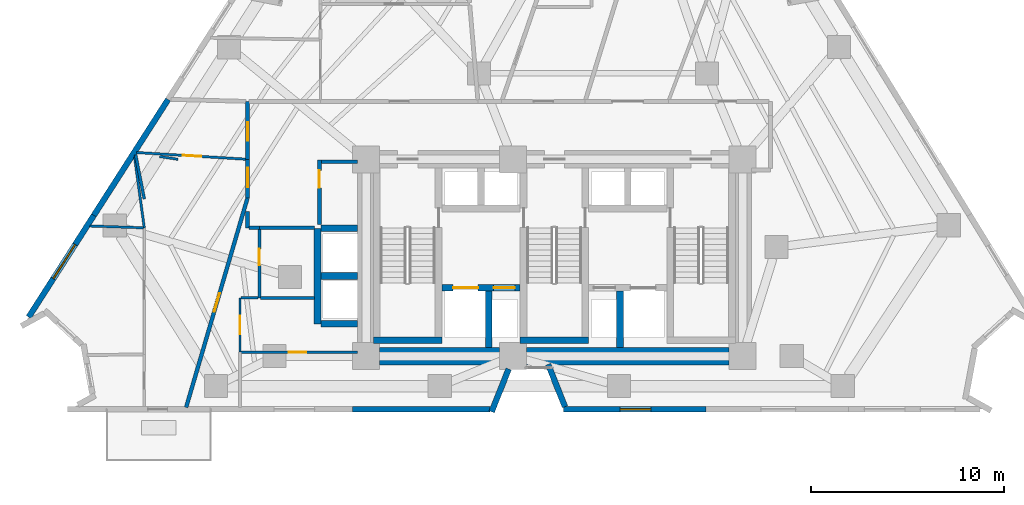
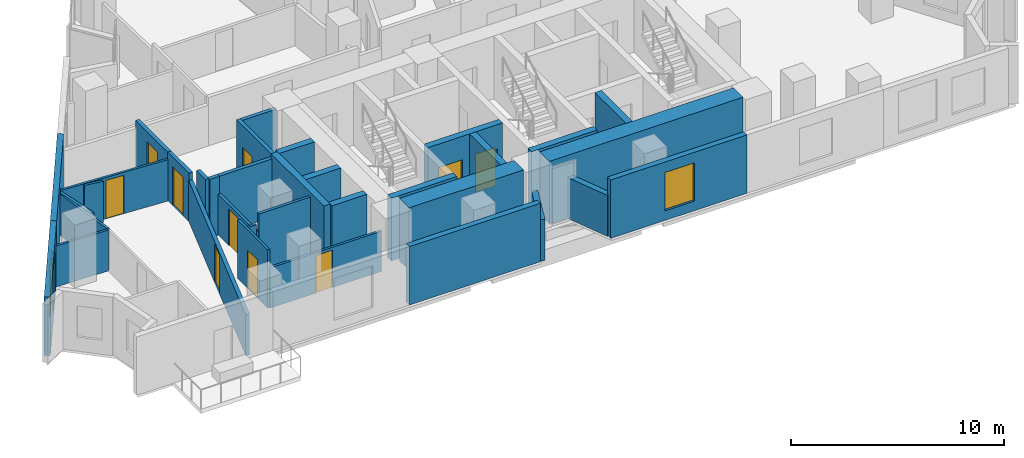
# One storey, part 6 of 13: 35 walls, 10 doors, 2 windows, 12 openings.
"""IFC4 building model written with IfcOpenShell, lengths in metres."""

from ifc_helpers import new_model, si_unit, direction, frame, frame_2d, origin, place, context, subcontext, project, spatial, rectangle, extrude, material, layer, layer_set, type_object, element, fill, save


model = new_model("IFC4")

# Units and contexts
model_context = context("Model", 3, precision=1e-05, world=origin(), true_north=direction((0.0, 1.0)))
body_context = subcontext(model_context, "Body", "Model", "MODEL_VIEW")
ifc_project = project(units=[si_unit("LENGTHUNIT", "METRE"), si_unit("AREAUNIT", "SQUARE_METRE"), si_unit("VOLUMEUNIT", "CUBIC_METRE"), si_unit("PLANEANGLEUNIT", "RADIAN"), si_unit("MASSUNIT", "GRAM", prefix="KILO")], contexts=[model_context])

# Site, building, storey
site_placement = place(None, origin())
site = spatial("IfcSite", under=ifc_project, at=site_placement, CompositionType="ELEMENT")
building_placement = place(site_placement, origin())
building = spatial("IfcBuilding", under=site, at=building_placement, Name="Almagre Mirador Tower", CompositionType="ELEMENT")
storey_placement = place(building_placement, frame((0.0, 0.0, 89.39990234375)))
storey = spatial("IfcBuildingStorey", under=building, at=storey_placement, Name="L22", CompositionType="ELEMENT", Elevation=89.39990234375)

# Wall, opening, window
ifc_material_1 = material(Name="Precast concrete C50/60", Category="concrete")
ifc_layer_1 = layer(ifc_material_1, 0.300048828125)
ifc_layer_set_1 = layer_set([ifc_layer_1], Name="Precast concrete C50/60")
wall_type_1 = type_object("IfcWallType", Name="WAL-EXT-300", PredefinedType="SOLIDWALL", material=ifc_layer_set_1)
wall_1_placement = place(storey_placement, frame((45.1533203125, 1.800048828125, 0.0), z_axis=(0.0, 0.0, 1.0), x_axis=(-1.0, 0.0, 0.0)))
wall_1 = element("IfcWall", 1, at=wall_1_placement, inside=storey, type_object=wall_type_1, Name="L22 expressed almagre precast frame wall 23", PredefinedType="SOLIDWALL", context=body_context, shape_type="SweptSolid", body=[
    extrude(rectangle(XDim=7.393310546875, YDim=0.300048828125, at=frame_2d((3.69677734375, 0.0))), origin(), (0.0, 0.0, 1.0), 3.35009765625),
])
opening_1_placement = place(wall_1_placement, frame((2.85009765625, 0.0, 0.550048828125)))
opening_1 = element("IfcOpeningElement", 2, at=opening_1_placement, cuts=wall_1, Name="Opening WN-06", PredefinedType="OPENING", context=body_context, shape_type="SweptSolid", body=[
    extrude(rectangle(XDim=1.60009765625, YDim=2.199951171875, at=frame_2d((0.800048828125, 1.10009765625))), frame((0.0, 0.159902, 0.0), z_axis=(0.0, -1.0, 0.0), x_axis=(1.0, 0.0, 0.0)), (0.0, 0.0, 1.0), 0.320049),
])
ifc_material_2 = material(Name="Dark solar-control laminated hurricane glass", Category="glass")
window_type_1 = type_object("IfcWindowType", Name="WIN-1600X2200", PartitioningType="DOUBLE_PANEL_VERTICAL", PredefinedType="WINDOW", material=ifc_material_2)
window_1_placement = place(opening_1_placement, origin())
window_1 = element("IfcWindow", 3, at=window_1_placement, inside=storey, type_object=window_type_1, Name="L22 recessed hurricane window L22-RST-B", OverallHeight=2.199951171875, OverallWidth=1.60009765625, PartitioningType="SINGLE_PANEL", PredefinedType="WINDOW", context=body_context, shape_type="SweptSolid", body=[
    extrude(rectangle(XDim=1.60009765625, YDim=2.199951171875, at=frame_2d((0.800048828125, 1.10009765625))), frame((0.0, 0.030029296875, 0.0), z_axis=(0.0, -1.0, 0.0), x_axis=(1.0, 0.0, 0.0)), (0.0, 0.0, 1.0), 0.06005859375),
])
fill(opening_1, window_1)

# Walls
wall_2_placement = place(storey_placement, frame((37.85009765625, 1.92529296875, 0.0), z_axis=(0.0, 0.0, 1.0), x_axis=(-0.36946923074, 0.92924296475, 0.0)))
element("IfcWall", 4, at=wall_2_placement, inside=storey, type_object=wall_type_1, Name="L22 expressed almagre precast frame wall 24", PredefinedType="SOLIDWALL", context=body_context, shape_type="SweptSolid", body=[
    extrude(rectangle(XDim=2.366943359375, YDim=0.300048828125, at=frame_2d((1.18359375, 0.0))), origin(), (0.0, 0.0, 1.0), 2.35009765625),
])
wall_3_placement = place(storey_placement, frame((34.930419921875, 3.887939453125, 0.0), z_axis=(0.0, 0.0, 1.0), x_axis=(-0.369538313764, -0.9292154942, 0.0)))
element("IfcWall", 5, at=wall_3_placement, inside=storey, type_object=wall_type_1, Name="L22 expressed almagre precast frame wall 25", PredefinedType="SOLIDWALL", context=body_context, shape_type="SweptSolid", body=[
    extrude(rectangle(XDim=2.386962890625, YDim=0.300048828125, at=frame_2d((1.193359375, 0.0))), origin(), (0.0, 0.0, 1.0), 2.375),
])
wall_4_placement = place(storey_placement, frame((33.965087890625, 1.800048828125, 0.0), z_axis=(0.0, 0.0, 1.0), x_axis=(-1.0, 0.0, 0.0)))
element("IfcWall", 6, at=wall_4_placement, inside=storey, type_object=wall_type_1, Name="L22 expressed almagre precast frame wall 26", PredefinedType="SOLIDWALL", context=body_context, shape_type="SweptSolid", body=[
    extrude(rectangle(XDim=7.118408203125, YDim=0.300048828125, at=frame_2d((3.55908203125, 0.0))), origin(), (0.0, 0.0, 1.0), 3.35009765625),
])

# Wall, opening, window
wall_5_placement = place(storey_placement, frame((10.05859375, 6.57373046875, 0.0), z_axis=(0.0, 0.0, 1.0), x_axis=(0.539474072839, 0.842002211835, 0.0)))
wall_5 = element("IfcWall", 7, at=wall_5_placement, inside=storey, type_object=wall_type_1, Name="L22 expressed almagre precast frame wall 33", PredefinedType="SOLIDWALL", context=body_context, shape_type="SweptSolid", body=[
    extrude(rectangle(XDim=6.261474609375, YDim=0.300048828125, at=frame_2d((3.130859375, 0.0))), origin(), (0.0, 0.0, 1.0), 3.35009765625),
])
opening_2_placement = place(wall_5_placement, frame((2.364990234375, 0.0, 0.550048828125)))
opening_2 = element("IfcOpeningElement", 8, at=opening_2_placement, cuts=wall_5, Name="Opening WN-05", PredefinedType="OPENING", context=body_context, shape_type="SweptSolid", body=[
    extrude(rectangle(XDim=2.10009765625, YDim=2.39990234375, at=frame_2d((1.050048828125, 1.199951171875))), frame((0.0, 0.159902, 0.0), z_axis=(0.0, -1.0, 0.0), x_axis=(1.0, 0.0, 0.0)), (0.0, 0.0, 1.0), 0.320049),
])
ifc_material_3 = material(Name="Dark solar-control laminated hurricane glass", Category="glass")
window_type_2 = type_object("IfcWindowType", Name="WIN-2100X2400", PartitioningType="DOUBLE_PANEL_VERTICAL", PredefinedType="WINDOW", material=ifc_material_3)
window_2_placement = place(opening_2_placement, origin())
window_2 = element("IfcWindow", 9, at=window_2_placement, inside=storey, type_object=window_type_2, Name="L22 recessed hurricane window L22-UC-MB", OverallHeight=2.39990234375, OverallWidth=2.10009765625, PartitioningType="SINGLE_PANEL", PredefinedType="WINDOW", context=body_context, shape_type="SweptSolid", body=[
    extrude(rectangle(XDim=2.10009765625, YDim=2.39990234375, at=frame_2d((1.050048828125, 1.199951171875))), frame((0.0, 0.030029296875, 0.0), z_axis=(0.0, -1.0, 0.0), x_axis=(1.0, 0.0, 0.0)), (0.0, 0.0, 1.0), 0.06005859375),
])
fill(opening_2, window_2)

# Wall
wall_6_placement = place(storey_placement, frame((13.4365234375, 11.845947265625, 0.0), z_axis=(0.0, 0.0, 1.0), x_axis=(0.539467581629, 0.842006370743, 0.0)))
element("IfcWall", 10, at=wall_6_placement, inside=storey, type_object=wall_type_1, Name="L22 expressed almagre precast frame wall 34", PredefinedType="SOLIDWALL", context=body_context, shape_type="SweptSolid", body=[
    extrude(rectangle(XDim=7.129638671875, YDim=0.300048828125, at=frame_2d((3.56494140625, 0.0))), origin(), (0.0, 0.0, 1.0), 3.35009765625),
])

# Wall, opening, door
ifc_material_4 = material(Name="Gypsum acoustic stud partition", Category="other")
ifc_layer_2 = layer(ifc_material_4, 0.125)
ifc_layer_set_2 = layer_set([ifc_layer_2], Name="Gypsum acoustic stud partition")
wall_type_2 = type_object("IfcWallType", Name="WAL-PRT-125-UTL", PredefinedType="PARTITIONING", material=ifc_layer_set_2)
wall_7_placement = place(storey_placement, frame((21.010009765625, 4.760009765625, 0.0), z_axis=(0.0, 0.0, 1.0), x_axis=(0.0, 1.0, 0.0)))
wall_7 = element("IfcWall", 11, at=wall_7_placement, inside=storey, type_object=wall_type_2, Name="L22 interior partition 016", PredefinedType="PARTITIONING", context=body_context, shape_type="SweptSolid", body=[
    extrude(rectangle(XDim=2.81005859375, YDim=0.125, at=frame_2d((1.405029296875, 0.0))), origin(), (0.0, 0.0, 1.0), 3.35009765625),
])
opening_3_placement = place(wall_7_placement, frame((0.929931640625, 0.0, 0.0)))
opening_3 = element("IfcOpeningElement", 12, at=opening_3_placement, cuts=wall_7, Name="Opening UD-01", PredefinedType="OPENING", context=body_context, shape_type="SweptSolid", body=[
    extrude(rectangle(XDim=0.949951171875, YDim=2.199951171875, at=frame_2d((0.47509765625, 1.10009765625))), frame((0.0, 0.0725, 0.0), z_axis=(0.0, -1.0, 0.0), x_axis=(1.0, 0.0, 0.0)), (0.0, 0.0, 1.0), 0.145),
])
ifc_material_5 = material(Name="Solid American walnut timber", Category="wood")
door_type_1 = type_object("IfcDoorType", Name="DOR-UNR-950X2200", OperationType="NOTDEFINED", PredefinedType="DOOR", material=ifc_material_5)
door_1_placement = place(opening_3_placement, origin())
door_1 = element("IfcDoor", 13, at=door_1_placement, inside=storey, type_object=door_type_1, Name="DR-0748 L22 interior door L22-UA-LV to L22-UA-KT", OperationType="SINGLE_SWING_RIGHT", OverallHeight=2.199951171875, OverallWidth=0.949951171875, PredefinedType="DOOR", context=body_context, shape_type="SweptSolid", body=[
    extrude(rectangle(XDim=0.949951171875, YDim=2.199951171875, at=frame_2d((0.47509765625, 1.10009765625))), frame((0.0, 0.02490234375, 0.0), z_axis=(0.0, -1.0, 0.0), x_axis=(1.0, 0.0, 0.0)), (0.0, 0.0, 1.0), 0.050048828125),
])
fill(opening_3, door_1)

# Wall
wall_8_placement = place(storey_placement, frame((21.0576171875, 7.570068359375, 0.0), z_axis=(0.0, 0.0, 1.0), x_axis=(1.0, 0.0, 0.0)))
element("IfcWall", 14, at=wall_8_placement, inside=storey, type_object=wall_type_2, Name="L22 interior partition 017", PredefinedType="PARTITIONING", context=body_context, shape_type="SweptSolid", body=[
    extrude(rectangle(XDim=0.892333984375, YDim=0.125, at=frame_2d((0.4462890625, 0.0))), origin(), (0.0, 0.0, 1.0), 2.77099609375),
])

# Wall, opening, door
wall_9_placement = place(storey_placement, frame((21.0576171875, 4.760009765625, 0.0), z_axis=(0.0, 0.0, 1.0), x_axis=(1.0, 0.0, 0.0)))
wall_9 = element("IfcWall", 15, at=wall_9_placement, inside=storey, type_object=wall_type_2, Name="L22 interior partition 021", PredefinedType="PARTITIONING", context=body_context, shape_type="SweptSolid", body=[
    extrude(rectangle(XDim=6.04248046875, YDim=0.125, at=frame_2d((3.021240234375, 0.0))), origin(), (0.0, 0.0, 1.0), 2.30908203125),
])
opening_4_placement = place(wall_9_placement, frame((2.487548828125, 0.0, 0.0)))
opening_4 = element("IfcOpeningElement", 16, at=opening_4_placement, cuts=wall_9, Name="Opening UD-02", PredefinedType="OPENING", context=body_context, shape_type="SweptSolid", body=[
    extrude(rectangle(XDim=0.89990234375, YDim=2.14990234375, at=frame_2d((0.449951171875, 1.074951171875))), frame((0.0, 0.0725, 0.0), z_axis=(0.0, -1.0, 0.0), x_axis=(1.0, 0.0, 0.0)), (0.0, 0.0, 1.0), 0.145),
])
ifc_material_6 = material(Name="Solid American walnut timber", Category="wood")
door_type_2 = type_object("IfcDoorType", Name="DOR-UNR-900X2150", OperationType="NOTDEFINED", PredefinedType="DOOR", material=ifc_material_6)
door_2_placement = place(opening_4_placement, origin())
door_2 = element("IfcDoor", 17, at=door_2_placement, inside=storey, type_object=door_type_2, Name="DR-0750 L22 interior door L22-UA-KT to L22-UA-MB", OperationType="SINGLE_SWING_LEFT", OverallHeight=2.14990234375, OverallWidth=0.89990234375, PredefinedType="DOOR", context=body_context, shape_type="SweptSolid", body=[
    extrude(rectangle(XDim=0.89990234375, YDim=2.14990234375, at=frame_2d((0.449951171875, 1.074951171875))), frame((0.0, 0.02490234375, 0.0), z_axis=(0.0, -1.0, 0.0), x_axis=(1.0, 0.0, 0.0)), (0.0, 0.0, 1.0), 0.050048828125),
])
fill(opening_4, door_2)

wall_10_placement = place(storey_placement, frame((21.315185546875, 14.7548828125, 0.0), z_axis=(0.0, 0.0, 1.0), x_axis=(-0.99813414118, 0.061059284391, 0.0)))
wall_10 = element("IfcWall", 18, at=wall_10_placement, inside=storey, type_object=wall_type_2, Name="L22 interior partition 027", PredefinedType="PARTITIONING", context=body_context, shape_type="SweptSolid", body=[
    extrude(rectangle(XDim=5.669677734375, YDim=0.125, at=frame_2d((2.8349609375, 0.0))), origin(), (0.0, 0.0, 1.0), 2.3701171875),
])
opening_5_placement = place(wall_10_placement, frame((2.3271484375, 0.0, 0.0)))
opening_5 = element("IfcOpeningElement", 19, at=opening_5_placement, cuts=wall_10, Name="Opening UD-01", PredefinedType="OPENING", context=body_context, shape_type="SweptSolid", body=[
    extrude(rectangle(XDim=0.949951171875, YDim=2.199951171875, at=frame_2d((0.47509765625, 1.10009765625))), frame((0.0, 0.0725, 0.0), z_axis=(0.0, -1.0, 0.0), x_axis=(1.0, 0.0, 0.0)), (0.0, 0.0, 1.0), 0.145),
])
door_3_placement = place(opening_5_placement, origin())
door_3 = element("IfcDoor", 20, at=door_3_placement, inside=storey, type_object=door_type_1, Name="DR-0752 L22 interior door L22-UC-LV to L22-UC-KT", OperationType="SINGLE_SWING_LEFT", OverallHeight=2.199951171875, OverallWidth=0.949951171875, PredefinedType="DOOR", context=body_context, shape_type="SweptSolid", body=[
    extrude(rectangle(XDim=0.949951171875, YDim=2.199951171875, at=frame_2d((0.47509765625, 1.10009765625))), frame((0.0, 0.02490234375, 0.0), z_axis=(0.0, -1.0, 0.0), x_axis=(1.0, 0.0, 0.0)), (0.0, 0.0, 1.0), 0.050048828125),
])
fill(opening_5, door_3)

# Walls
wall_11_placement = place(storey_placement, frame((15.547119140625, 14.864501953125, 0.0), z_axis=(0.0, 0.0, 1.0), x_axis=(0.135967318148, -0.990713323013, 0.0)))
element("IfcWall", 21, at=wall_11_placement, inside=storey, type_object=wall_type_2, Name="L22 interior partition 028", PredefinedType="PARTITIONING", context=body_context, shape_type="SweptSolid", body=[
    extrude(rectangle(XDim=3.698974609375, YDim=0.125, at=frame_2d((1.849609375, 0.0))), origin(), (0.0, 0.0, 1.0), 2.3701171875),
])
wall_12_placement = place(storey_placement, frame((13.22412109375, 11.294921875, 0.0), z_axis=(0.0, 0.0, 1.0), x_axis=(0.999434133118, -0.033636491475, 0.0)))
element("IfcWall", 22, at=wall_12_placement, inside=storey, type_object=wall_type_2, Name="L22 interior partition 031", PredefinedType="PARTITIONING", context=body_context, shape_type="SweptSolid", body=[
    extrude(rectangle(XDim=2.77978515625, YDim=0.125, at=frame_2d((1.389892578125, 0.0))), origin(), (0.0, 0.0, 1.0), 2.34521484375),
])
wall_13_placement = place(storey_placement, frame((17.7919921875, 14.75, 0.0), z_axis=(0.0, 0.0, 1.0), x_axis=(-0.988863080903, 0.14882811303, 0.0)))
element("IfcWall", 23, at=wall_13_placement, inside=storey, type_object=wall_type_2, Name="L22 interior partition 066", PredefinedType="PARTITIONING", context=body_context, shape_type="SweptSolid", body=[
    extrude(rectangle(XDim=0.954833984375, YDim=0.125, at=frame_2d((0.4775390625, 0.0))), origin(), (0.0, 0.0, 1.0), 2.3701171875),
])

# Wall, opening, door
ifc_material_7 = material(Name="Gypsum acoustic stud partition", Category="other")
ifc_layer_3 = layer(ifc_material_7, 0.14990234375)
ifc_layer_set_3 = layer_set([ifc_layer_3], Name="Gypsum acoustic stud partition")
wall_type_3 = type_object("IfcWallType", Name="WAL-PRT-150-STD", PredefinedType="PARTITIONING", material=ifc_layer_set_3)
wall_14_placement = place(storey_placement, frame((22.010009765625, 7.570068359375, 0.0), z_axis=(0.0, 0.0, 1.0), x_axis=(0.0, 1.0, 0.0)))
wall_14 = element("IfcWall", 24, at=wall_14_placement, inside=storey, type_object=wall_type_3, Name="L22 interior partition 015", PredefinedType="PARTITIONING", context=body_context, shape_type="SweptSolid", body=[
    extrude(rectangle(XDim=3.544921875, YDim=0.14990234375, at=frame_2d((1.7724609375, 0.0))), origin(), (0.0, 0.0, 1.0), 2.34521484375),
])
opening_6_placement = place(wall_14_placement, frame((1.6875, 0.0, 0.0)))
opening_6 = element("IfcOpeningElement", 25, at=opening_6_placement, cuts=wall_14, Name="Opening UD-04", PredefinedType="OPENING", context=body_context, shape_type="SweptSolid", body=[
    extrude(rectangle(XDim=0.85009765625, YDim=2.10009765625, at=frame_2d((0.425048828125, 1.050048828125))), frame((0.0, 0.084951, 0.0), z_axis=(0.0, -1.0, 0.0), x_axis=(1.0, 0.0, 0.0)), (0.0, 0.0, 1.0), 0.169902),
])
ifc_material_8 = material(Name="Moisture-resistant oak timber", Category="wood")
door_type_3 = type_object("IfcDoorType", Name="DOR-UNR-850X2100", OperationType="NOTDEFINED", PredefinedType="DOOR", material=ifc_material_8)
door_4_placement = place(opening_6_placement, origin())
door_4 = element("IfcDoor", 26, at=door_4_placement, inside=storey, type_object=door_type_3, Name="DR-0749 L22 interior door L22-UA-LV to L22-UA-HB", OperationType="SINGLE_SWING_LEFT", OverallHeight=2.10009765625, OverallWidth=0.85009765625, PredefinedType="DOOR", context=body_context, shape_type="SweptSolid", body=[
    extrude(rectangle(XDim=0.85009765625, YDim=2.10009765625, at=frame_2d((0.425048828125, 1.050048828125))), frame((0.0, 0.02490234375, 0.0), z_axis=(0.0, -1.0, 0.0), x_axis=(1.0, 0.0, 0.0)), (0.0, 0.0, 1.0), 0.050048828125),
])
fill(opening_6, door_4)

# Walls
wall_15_placement = place(storey_placement, frame((22.070068359375, 7.570068359375, 0.0), z_axis=(0.0, 0.0, 1.0), x_axis=(1.0, 0.0, 0.0)))
element("IfcWall", 27, at=wall_15_placement, inside=storey, type_object=wall_type_3, Name="L22 interior partition 020", PredefinedType="PARTITIONING", context=body_context, shape_type="SweptSolid", body=[
    extrude(rectangle(XDim=2.794921875, YDim=0.14990234375, at=frame_2d((1.3974609375, 0.0))), origin(), (0.0, 0.0, 1.0), 3.35009765625),
])
wall_16_placement = place(storey_placement, frame((16.050048828125, 12.68994140625, 0.0), z_axis=(0.0, 0.0, 1.0), x_axis=(-0.191989700007, 0.981396940637, 0.0)))
element("IfcWall", 28, at=wall_16_placement, inside=storey, type_object=wall_type_3, Name="L22 interior partition 067", PredefinedType="PARTITIONING", context=body_context, shape_type="SweptSolid", body=[
    extrude(rectangle(XDim=2.33349609375, YDim=0.14990234375, at=frame_2d((1.166748046875, 0.0))), origin(), (0.0, 0.0, 1.0), 2.3701171875),
])

# Wall, opening, door
ifc_material_9 = material(Name="Gypsum acoustic stud partition", Category="other")
ifc_layer_4 = layer(ifc_material_9, 0.199951171875)
ifc_layer_set_4 = layer_set([ifc_layer_4], Name="Gypsum acoustic stud partition")
wall_type_4 = type_object("IfcWallType", Name="WAL-PRT-200-EI60", PredefinedType="PARTITIONING", material=ifc_layer_set_4)
wall_17_placement = place(storey_placement, frame((25.1201171875, 11.3701171875, 0.0), z_axis=(0.0, 0.0, 1.0), x_axis=(0.0, 1.0, 0.0)))
wall_17 = element("IfcWall", 29, at=wall_17_placement, inside=storey, type_object=wall_type_4, Name="L22 core ancillary west wall", PredefinedType="PARTITIONING", context=body_context, shape_type="SweptSolid", body=[
    extrude(rectangle(XDim=3.33984375, YDim=0.199951171875, at=frame_2d((1.669921875, 0.0))), origin(), (0.0, 0.0, 1.0), 3.35009765625),
])
opening_7_placement = place(wall_17_placement, frame((1.89990234375, 0.0, 0.0)))
opening_7 = element("IfcOpeningElement", 30, at=opening_7_placement, cuts=wall_17, Name="Opening ID-03", PredefinedType="OPENING", context=body_context, shape_type="SweptSolid", body=[
    extrude(rectangle(XDim=0.89990234375, YDim=2.10009765625, at=frame_2d((0.449951171875, 1.050048828125))), frame((0.0, 0.110098, 0.0), z_axis=(0.0, -1.0, 0.0), x_axis=(1.0, 0.0, 0.0)), (0.0, 0.0, 1.0), 0.219951),
])
ifc_material_10 = material(Name="Fire-rated hollow steel", Category="steel")
door_type_4 = type_object("IfcDoorType", Name="DOR-FD60-900X2100", OperationType="NOTDEFINED", PredefinedType="DOOR", material=ifc_material_10)
door_5_placement = place(opening_7_placement, origin())
door_5 = element("IfcDoor", 31, at=door_5_placement, inside=storey, type_object=door_type_4, Name="DR-0741 L22 core ancillary corridor door", OperationType="SINGLE_SWING_LEFT", OverallHeight=2.10009765625, OverallWidth=0.89990234375, PredefinedType="DOOR", context=body_context, shape_type="SweptSolid", body=[
    extrude(rectangle(XDim=0.89990234375, YDim=2.10009765625, at=frame_2d((0.449951171875, 1.050048828125))), frame((0.0, 0.02490234375, 0.0), z_axis=(0.0, -1.0, 0.0), x_axis=(1.0, 0.0, 0.0)), (0.0, 0.0, 1.0), 0.050048828125),
])
fill(opening_7, door_5)

# Walls
wall_18_placement = place(storey_placement, frame((25.22509765625, 14.6201171875, 0.0), z_axis=(0.0, 0.0, 1.0), x_axis=(1.0, 0.0, 0.0)))
element("IfcWall", 32, at=wall_18_placement, inside=storey, type_object=wall_type_4, Name="L22 core ancillary north wall", PredefinedType="PARTITIONING", context=body_context, shape_type="SweptSolid", body=[
    extrude(rectangle(XDim=1.85986328125, YDim=0.199951171875, at=frame_2d((0.929931640625, 0.0))), origin(), (0.0, 0.0, 1.0), 3.35009765625),
])
wall_19_placement = place(storey_placement, frame((21.39990234375, 12.039794921875, 0.0), z_axis=(0.0, 0.0, 1.0), x_axis=(0.0, -1.0, 0.0)))
element("IfcWall", 33, at=wall_19_placement, inside=storey, type_object=wall_type_4, Name="L22 interior partition 001", PredefinedType="PARTITIONING", context=body_context, shape_type="SweptSolid", body=[
    extrude(rectangle(XDim=0.83984375, YDim=0.199951171875, at=frame_2d((0.419921875, 0.0))), origin(), (0.0, 0.0, 1.0), 3.35009765625),
])
wall_20_placement = place(storey_placement, frame((21.485107421875, 11.199951171875, 0.0), z_axis=(0.0, 0.0, 1.0), x_axis=(1.0, 0.0, 0.0)))
element("IfcWall", 34, at=wall_20_placement, inside=storey, type_object=wall_type_4, Name="L22 interior partition 002", PredefinedType="PARTITIONING", context=body_context, shape_type="SweptSolid", body=[
    extrude(rectangle(XDim=0.52490234375, YDim=0.199951171875, at=frame_2d((0.262451171875, 0.0))), origin(), (0.0, 0.0, 1.0), 3.35009765625),
])
wall_21_placement = place(storey_placement, frame((22.010009765625, 11.199951171875, 0.0), z_axis=(0.0, 0.0, 1.0), x_axis=(1.0, 0.0, 0.0)))
element("IfcWall", 35, at=wall_21_placement, inside=storey, type_object=wall_type_4, Name="L22 interior partition 003", PredefinedType="PARTITIONING", context=body_context, shape_type="SweptSolid", body=[
    extrude(rectangle(XDim=2.859130859375, YDim=0.199951171875, at=frame_2d((1.4296875, 0.0))), origin(), (0.0, 0.0, 1.0), 3.35009765625),
])

# Wall, opening, door
wall_22_placement = place(storey_placement, frame((21.39990234375, 14.75, 0.0), z_axis=(0.0, 0.0, 1.0), x_axis=(0.0, -1.0, 0.0)))
wall_22 = element("IfcWall", 36, at=wall_22_placement, inside=storey, type_object=wall_type_4, Name="L22 interior partition 006", PredefinedType="PARTITIONING", context=body_context, shape_type="SweptSolid", body=[
    extrude(rectangle(XDim=2.0, YDim=0.199951171875, at=frame_2d((1.0, 0.0))), origin(), (0.0, 0.0, 1.0), 2.77099609375),
])
opening_8_placement = place(wall_22_placement, frame((0.448486328125, 0.0, 0.0)))
opening_8 = element("IfcOpeningElement", 37, at=opening_8_placement, cuts=wall_22, Name="Opening ID-01", PredefinedType="OPENING", context=body_context, shape_type="SweptSolid", body=[
    extrude(rectangle(XDim=1.0, YDim=2.199951171875, at=frame_2d((0.5, 1.10009765625))), frame((0.0, 0.110098, 0.0), z_axis=(0.0, -1.0, 0.0), x_axis=(1.0, 0.0, 0.0)), (0.0, 0.0, 1.0), 0.219951),
])
ifc_material_11 = material(Name="Fire-rated walnut timber", Category="wood")
door_type_5 = type_object("IfcDoorType", Name="DOR-FD60-1000X2200", OperationType="NOTDEFINED", PredefinedType="DOOR", material=ifc_material_11)
door_6_placement = place(opening_8_placement, origin())
door_6 = element("IfcDoor", 38, at=door_6_placement, inside=storey, type_object=door_type_5, Name="DR-0751 L22 interior door L22-RCOR to L22-UC-LV", OperationType="SINGLE_SWING_RIGHT", OverallHeight=2.199951171875, OverallWidth=1.0, PredefinedType="DOOR", context=body_context, shape_type="SweptSolid", body=[
    extrude(rectangle(XDim=1.0, YDim=2.199951171875, at=frame_2d((0.5, 1.10009765625))), frame((0.0, 0.02490234375, 0.0), z_axis=(0.0, -1.0, 0.0), x_axis=(1.0, 0.0, 0.0)), (0.0, 0.0, 1.0), 0.050048828125),
])
fill(opening_8, door_6)

wall_23_placement = place(storey_placement, frame((21.39990234375, 17.75, 0.0), z_axis=(0.0, 0.0, 1.0), x_axis=(0.0, -1.0, 0.0)))
wall_23 = element("IfcWall", 39, at=wall_23_placement, inside=storey, type_object=wall_type_4, Name="L22 interior partition 007", PredefinedType="PARTITIONING", context=body_context, shape_type="SweptSolid", body=[
    extrude(rectangle(XDim=3.0, YDim=0.199951171875, at=frame_2d((1.5, 0.0))), origin(), (0.0, 0.0, 1.0), 2.77099609375),
])
opening_9_placement = place(wall_23_placement, frame((1.083984375, 0.0, 0.0)))
opening_9 = element("IfcOpeningElement", 40, at=opening_9_placement, cuts=wall_23, Name="Opening UD-01", PredefinedType="OPENING", context=body_context, shape_type="SweptSolid", body=[
    extrude(rectangle(XDim=0.949951171875, YDim=2.199951171875, at=frame_2d((0.47509765625, 1.10009765625))), frame((0.0, 0.110098, 0.0), z_axis=(0.0, -1.0, 0.0), x_axis=(1.0, 0.0, 0.0)), (0.0, 0.0, 1.0), 0.219951),
])
door_7_placement = place(opening_9_placement, origin())
door_7 = element("IfcDoor", 41, at=door_7_placement, inside=storey, type_object=door_type_1, Name="DR-0771 L22 interior door L22-UC-KT to L22-RCOR", OperationType="SINGLE_SWING_LEFT", OverallHeight=2.199951171875, OverallWidth=0.949951171875, PredefinedType="DOOR", context=body_context, shape_type="SweptSolid", body=[
    extrude(rectangle(XDim=0.949951171875, YDim=2.199951171875, at=frame_2d((0.47509765625, 1.10009765625))), frame((0.0, 0.02490234375, 0.0), z_axis=(0.0, -1.0, 0.0), x_axis=(1.0, 0.0, 0.0)), (0.0, 0.0, 1.0), 0.050048828125),
])
fill(opening_9, door_7)

wall_24_placement = place(storey_placement, frame((21.39990234375, 12.75, 0.0), z_axis=(0.0, 0.0, 1.0), x_axis=(-0.281267694056, -0.959629347342, 0.0)))
wall_24 = element("IfcWall", 42, at=wall_24_placement, inside=storey, type_object=wall_type_4, Name="L22 interior partition 019", PredefinedType="PARTITIONING", context=body_context, shape_type="SweptSolid", body=[
    extrude(rectangle(XDim=11.312744140625, YDim=0.199951171875, at=frame_2d((5.65625, 0.0))), origin(), (0.0, 0.0, 1.0), 2.34521484375),
])
opening_10_placement = place(wall_24_placement, frame((5.147216796875, 0.0, 0.0)))
opening_10 = element("IfcOpeningElement", 43, at=opening_10_placement, cuts=wall_24, Name="Opening ID-01", PredefinedType="OPENING", context=body_context, shape_type="SweptSolid", body=[
    extrude(rectangle(XDim=1.0, YDim=2.199951171875, at=frame_2d((0.5, 1.10009765625))), frame((0.0, 0.110098, 0.0), z_axis=(0.0, -1.0, 0.0), x_axis=(1.0, 0.0, 0.0)), (0.0, 0.0, 1.0), 0.219951),
])
door_8_placement = place(opening_10_placement, origin())
door_8 = element("IfcDoor", 44, at=door_8_placement, inside=storey, type_object=door_type_5, Name="DR-0764 L22 interior door L22-UA-LV to L22-UC-LV", OperationType="SINGLE_SWING_RIGHT", OverallHeight=2.199951171875, OverallWidth=1.0, PredefinedType="DOOR", context=body_context, shape_type="SweptSolid", body=[
    extrude(rectangle(XDim=1.0, YDim=2.199951171875, at=frame_2d((0.5, 1.10009765625))), frame((0.0, 0.02490234375, 0.0), z_axis=(0.0, -1.0, 0.0), x_axis=(1.0, 0.0, 0.0)), (0.0, 0.0, 1.0), 0.050048828125),
])
fill(opening_10, door_8)

# Walls
ifc_material_12 = material(Name="Concrete C60/75", Category="concrete")
ifc_layer_5 = layer(ifc_material_12, 0.35009765625)
ifc_layer_set_5 = layer_set([ifc_layer_5], Name="Concrete C60/75")
wall_type_5 = type_object("IfcWallType", Name="WAL-SHF-350", PredefinedType="SOLIDWALL", material=ifc_layer_set_5)
for number, where, z_axis, x_axis, name in (
    (45, (27.925048828125, 5.375, 0.0), (0.0, 0.0, 1.0), (1.0, 0.0, 0.0), "L22 shaft wall ST1-S"),
    (46, (35.52490234375, 5.375, 0.0), (0.0, 0.0, 1.0), (1.0, 0.0, 0.0), "L22 shaft wall ST2-S"),
):
    element("IfcWall", number, at=place(storey_placement, frame(where, z_axis=z_axis, x_axis=x_axis)), inside=storey, type_object=wall_type_5, Name=name, PredefinedType="SOLIDWALL", context=body_context, shape_type="SweptSolid", body=[
        extrude(rectangle(XDim=3.550048828125, YDim=0.35009765625, at=frame_2d((1.77490234375, 0.0))), origin(), (0.0, 0.0, 1.0), 3.60009765625),
    ])

# Wall, openings, doors
wall_25_placement = place(storey_placement, frame((31.47509765625, 8.10009765625, 0.0), z_axis=(0.0, 0.0, 1.0), x_axis=(1.0, 0.0, 0.0)))
wall_25 = element("IfcWall", 47, at=wall_25_placement, inside=storey, type_object=wall_type_5, Name="L22 shaft wall FSAE1-N", PredefinedType="SOLIDWALL", context=body_context, shape_type="SweptSolid", body=[
    extrude(rectangle(XDim=4.0498046875, YDim=0.35009765625, at=frame_2d((2.02490234375, 0.0))), origin(), (0.0, 0.0, 1.0), 3.60009765625),
])
opening_11_placement = place(wall_25_placement, frame((0.574951171875, 0.0, 0.0)))
opening_11 = element("IfcOpeningElement", 48, at=opening_11_placement, cuts=wall_25, Name="Opening LD-03", PredefinedType="OPENING", context=body_context, shape_type="SweptSolid", body=[
    extrude(rectangle(XDim=1.300048828125, YDim=2.25, at=frame_2d((0.64990234375, 1.125))), frame((0.0, 0.185049, 0.0), z_axis=(0.0, -1.0, 0.0), x_axis=(1.0, 0.0, 0.0)), (0.0, 0.0, 1.0), 0.370098),
])
opening_12_placement = place(wall_25_placement, frame((2.675048828125, 0.0, 0.0)))
opening_12 = element("IfcOpeningElement", 49, at=opening_12_placement, cuts=wall_25, Name="Opening LD-01", PredefinedType="OPENING", context=body_context, shape_type="SweptSolid", body=[
    extrude(rectangle(XDim=1.10009765625, YDim=2.199951171875, at=frame_2d((0.550048828125, 1.10009765625))), frame((0.0, 0.185049, 0.0), z_axis=(0.0, -1.0, 0.0), x_axis=(1.0, 0.0, 0.0)), (0.0, 0.0, 1.0), 0.370098),
])
ifc_material_13 = material(Name="Hollow stainless steel", Category="steel")
door_type_6 = type_object("IfcDoorType", Name="DOR-LD-1100X2200", OperationType="DOUBLE_DOOR_SLIDING", PredefinedType="DOOR", material=ifc_material_13)
door_9_placement = place(opening_12_placement, origin())
door_9 = element("IfcDoor", 50, at=door_9_placement, inside=storey, type_object=door_type_6, Name="DR-0774 L22 PL-L1 lift landing door", OperationType="DOUBLE_DOOR_SLIDING", OverallHeight=2.199951171875, OverallWidth=1.10009765625, PredefinedType="DOOR", context=body_context, shape_type="SweptSolid", body=[
    extrude(rectangle(XDim=1.10009765625, YDim=2.199951171875, at=frame_2d((0.550048828125, 1.10009765625))), frame((0.0, 0.02490234375, 0.0), z_axis=(0.0, -1.0, 0.0), x_axis=(1.0, 0.0, 0.0)), (0.0, 0.0, 1.0), 0.050048828125),
])
fill(opening_12, door_9)
ifc_material_14 = material(Name="Hollow stainless steel", Category="steel")
door_type_7 = type_object("IfcDoorType", Name="DOR-LD-1300X2250", OperationType="DOUBLE_DOOR_SLIDING", PredefinedType="DOOR", material=ifc_material_14)
door_10_placement = place(opening_11_placement, origin())
door_10 = element("IfcDoor", 51, at=door_10_placement, inside=storey, type_object=door_type_7, Name="DR-0772 L22 FSAE-1 lift landing door", OperationType="DOUBLE_DOOR_SLIDING", OverallHeight=2.25, OverallWidth=1.300048828125, PredefinedType="DOOR", context=body_context, shape_type="SweptSolid", body=[
    extrude(rectangle(XDim=1.300048828125, YDim=2.25, at=frame_2d((0.64990234375, 1.125))), frame((0.0, 0.02490234375, 0.0), z_axis=(0.0, -1.0, 0.0), x_axis=(1.0, 0.0, 0.0)), (0.0, 0.0, 1.0), 0.050048828125),
])
fill(opening_11, door_10)

# Walls
for number, where, z_axis, x_axis, name in (
    (52, (33.89990234375, 5.0, 0.0), (0.0, 0.0, 1.0), (0.0, 1.0, 0.0), "L22 shaft wall FSAE1-E"),
    (53, (40.699951171875, 5.0, 0.0), (0.0, 0.0, 1.0), (0.0, 1.0, 0.0), "L22 shaft wall FSAE2-W"),
):
    element("IfcWall", number, at=place(storey_placement, frame(where, z_axis=z_axis, x_axis=x_axis)), inside=storey, type_object=wall_type_5, Name=name, PredefinedType="SOLIDWALL", context=body_context, shape_type="SweptSolid", body=[
        extrude(rectangle(XDim=2.925048828125, YDim=0.35009765625, at=frame_2d((1.46240234375, 0.0))), origin(), (0.0, 0.0, 1.0), 3.60009765625),
    ])
wall_26_placement = place(storey_placement, frame((25.02490234375, 6.22509765625, 0.0), z_axis=(0.0, 0.0, 1.0), x_axis=(0.0, 1.0, 0.0)))
element("IfcWall", 54, at=wall_26_placement, inside=storey, type_object=wall_type_5, Name="L22 shaft wall OL-W", PredefinedType="SOLIDWALL", context=body_context, shape_type="SweptSolid", body=[
    extrude(rectangle(XDim=4.949951171875, YDim=0.35009765625, at=frame_2d((2.47509765625, 0.0))), origin(), (0.0, 0.0, 1.0), 3.60009765625),
])
for number, where, z_axis, x_axis, name in (
    (55, (25.199951171875, 6.22509765625, 0.0), (0.0, 0.0, 1.0), (1.0, 0.0, 0.0), "L22 shaft wall OL-S"),
    (56, (25.199951171875, 8.699951171875, 0.0), (0.0, 0.0, 1.0), (1.0, 0.0, 0.0), "L22 shaft wall OL-M"),
    (57, (25.199951171875, 11.175048828125, 0.0), (0.0, 0.0, 1.0), (1.0, 0.0, 0.0), "L22 shaft wall OL-N"),
):
    element("IfcWall", number, at=place(storey_placement, frame(where, z_axis=z_axis, x_axis=x_axis)), inside=storey, type_object=wall_type_5, Name=name, PredefinedType="SOLIDWALL", context=body_context, shape_type="SweptSolid", body=[
        extrude(rectangle(XDim=1.900146484375, YDim=0.35009765625, at=frame_2d((0.9501953125, 0.0))), origin(), (0.0, 0.0, 1.0), 3.60009765625),
    ])
ifc_material_15 = material(Name="Concrete C70/85", Category="concrete")
ifc_layer_6 = layer(ifc_material_15, 0.89990234375)
ifc_layer_set_6 = layer_set([ifc_layer_6], Name="Concrete C70/85")
wall_type_6 = type_object("IfcWallType", Name="WAL-SHR-900", PredefinedType="SHEAR", material=ifc_layer_set_6)
wall_27_placement = place(storey_placement, frame((28.25, 4.550048828125, 0.0), z_axis=(0.0, 0.0, 1.0), x_axis=(1.0, 0.0, 0.0)))
element("IfcWall", 58, at=wall_27_placement, inside=storey, type_object=wall_type_6, Name="L22 core shear wall S1", PredefinedType="SHEAR", context=body_context, shape_type="SweptSolid", body=[
    extrude(rectangle(XDim=6.199951171875, YDim=0.89990234375, at=frame_2d((3.10009765625, 0.0))), origin(), (0.0, 0.0, 1.0), 3.60009765625),
])
wall_28_placement = place(storey_placement, frame((35.85009765625, 4.550048828125, 0.0), z_axis=(0.0, 0.0, 1.0), x_axis=(1.0, 0.0, 0.0)))
element("IfcWall", 59, at=wall_28_placement, inside=storey, type_object=wall_type_6, Name="L22 core shear wall S2", PredefinedType="SHEAR", context=body_context, shape_type="SweptSolid", body=[
    extrude(rectangle(XDim=10.5, YDim=0.89990234375, at=frame_2d((5.25, 0.0))), origin(), (0.0, 0.0, 1.0), 3.60009765625),
])

save(model, "model.ifc")
